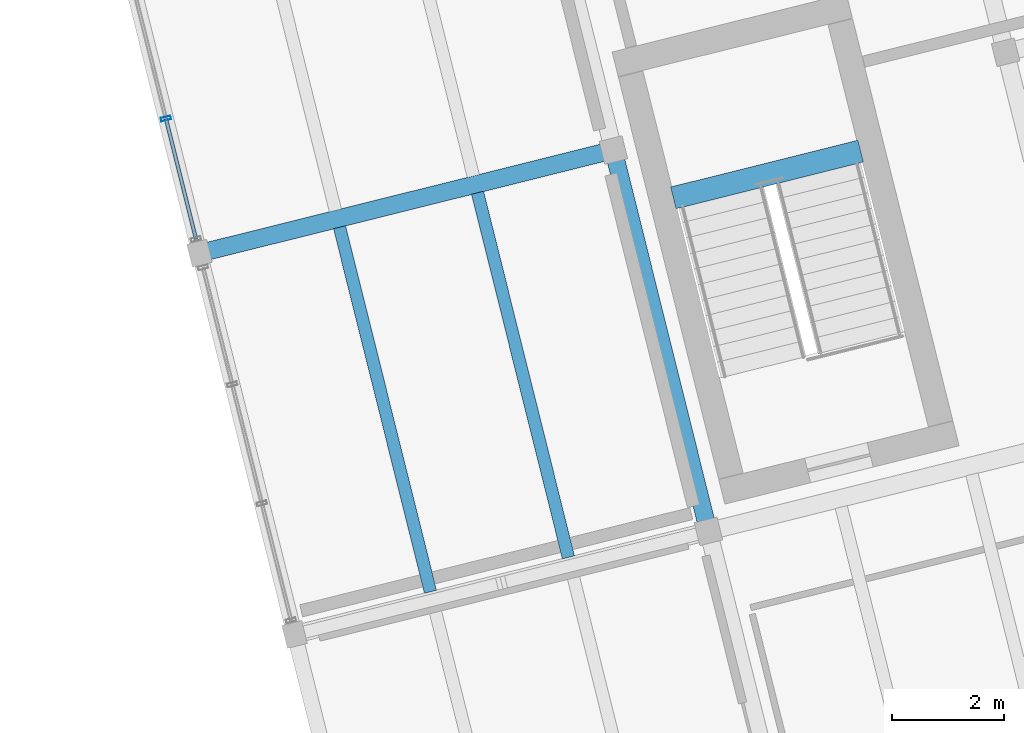
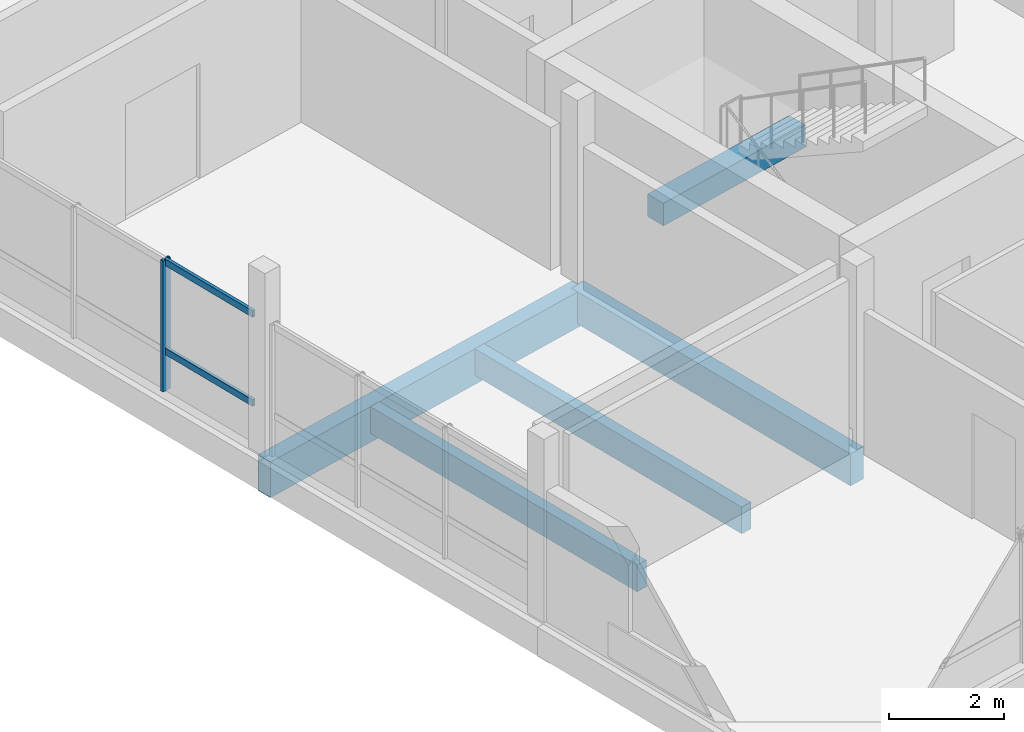
# One storey, part 3 of 28: 5 beams, 3 members, 1 element without a shape of its own.
"""IFC4 building model written with IfcOpenShell, lengths in metres."""

from ifc_helpers import new_model, si_unit, direction, frame, origin, origin_2d, place, context, subcontext, project, spatial, rectangle, hollow_rectangle, extrude, material, layer, layer_set, material_profile, profile_set, type_object, element, aggregate, save


model = new_model("IFC4")

# Units and contexts
model_context = context("Model", 3, precision=1e-05, world=origin(), true_north=direction((0.0, 1.0)))
body_context = subcontext(model_context, "Body", "Model", "MODEL_VIEW")
ifc_project = project(units=[si_unit("LENGTHUNIT", "METRE"), si_unit("AREAUNIT", "SQUARE_METRE"), si_unit("VOLUMEUNIT", "CUBIC_METRE"), si_unit("PLANEANGLEUNIT", "RADIAN"), si_unit("MASSUNIT", "GRAM", prefix="KILO")], contexts=[model_context])

# Site, building, storey
site_placement = place(None, origin())
site = spatial("IfcSite", under=ifc_project, at=site_placement, CompositionType="ELEMENT")
building_placement = place(site_placement, origin())
building = spatial("IfcBuilding", under=site, at=building_placement, Name="Meriwether Solvik Hall", CompositionType="ELEMENT")
storey_placement = place(building_placement, frame((0.0, 0.0, 30.0)))
storey = spatial("IfcBuildingStorey", under=building, at=storey_placement, Name="L07", CompositionType="ELEMENT", Elevation=30.0)

# Beams
ifc_material_1 = material(Name="Glulam Douglas-Fir 24F-V8 GL28h", Category="wood")
ifc_material_profile_1 = material_profile(ifc_material_1, rectangle(XDim=0.31494140625, YDim=0.68505859375, at=origin_2d()), Name="GLB-315X685")
ifc_profile_set_1 = profile_set([ifc_material_profile_1], Name="Glulam Douglas-Fir 24F-V8 GL28h")
beam_type_1 = type_object("IfcBeamType", Name="BM-GL-315X685", PredefinedType="BEAM", material=ifc_profile_set_1)
beam_1_placement = place(storey_placement, frame((74.3291015625, 49.63671875, -0.5625), z_axis=(-0.241911879182, 0.970298223594, 0.0), x_axis=(-0.970298223594, -0.241911879182, 0.0)))
element("IfcBeam", 1, at=beam_1_placement, inside=storey, type_object=beam_type_1, Name="Tower Girder T2:TB-TC (L07)", PredefinedType="BEAM", context=body_context, shape_type="SweptSolid", body=[
    extrude(rectangle(XDim=0.31494140625, YDim=0.68505859375, at=origin_2d()), origin(), (0.0, 0.0, 1.0), 7.0),
])
ifc_material_2 = material(Name="Glulam Douglas-Fir 24F-V8 GL28h", Category="wood")
ifc_material_profile_2 = material_profile(ifc_material_2, rectangle(XDim=0.31494140625, YDim=0.760009765625, at=origin_2d()), Name="GLB-315X760")
ifc_profile_set_2 = profile_set([ifc_material_profile_2], Name="Glulam Douglas-Fir 24F-V8 GL28h")
beam_type_2 = type_object("IfcBeamType", Name="BM-GL-315X760", PredefinedType="BEAM", material=ifc_profile_set_2)
beam_2_placement = place(storey_placement, frame((65.261474609375, 54.590087890625, -0.60009765625), z_axis=(0.970295366785, 0.241923337436, 0.0), x_axis=(-0.241923337436, 0.970295366785, 0.0)))
element("IfcBeam", 2, at=beam_2_placement, inside=storey, type_object=beam_type_2, Name="Tower Girder TC:T1-T2 (L07)", PredefinedType="BEAM", context=body_context, shape_type="SweptSolid", body=[
    extrude(rectangle(XDim=0.31494140625, YDim=0.760009765625, at=origin_2d()), origin(), (0.0, 0.0, 1.0), 7.60009765625),
])
ifc_material_3 = material(Name="Concrete C40/50", Category="concrete")
ifc_material_profile_3 = material_profile(ifc_material_3, rectangle(XDim=0.39990234375, YDim=0.47998046875, at=origin_2d()), Name="RCB-400X480")
ifc_profile_set_3 = profile_set([ifc_material_profile_3], Name="Concrete C40/50")
beam_type_3 = type_object("IfcBeamType", Name="BM-LND-RC-400X480", PredefinedType="BEAM", material=ifc_profile_set_3)
beam_3_placement = place(storey_placement, frame((73.70361328125, 55.57666015625, 1.510009765625), z_axis=(0.970288447449, 0.24195108751, 0.0), x_axis=(-0.24195108751, 0.970288447449, 0.0)))
element("IfcBeam", 3, at=beam_3_placement, inside=storey, type_object=beam_type_3, Name="Stair ST-01 Half-Landing Header Beam (L07)", PredefinedType="BEAM", context=body_context, shape_type="SweptSolid", body=[
    extrude(rectangle(XDim=0.39990234375, YDim=0.47998046875, at=origin_2d()), origin(), (0.0, 0.0, 1.0), 3.43994140625),
])

# Curtain wall, members
ifc_material_4 = material(Name="Thermally Broken Anodised Aluminium 6063-T6 and Low-E Glass", Category="aluminium")
ifc_layer = layer(ifc_material_4, 0.179931640625)
ifc_layer_set = layer_set([ifc_layer], Name="Thermally Broken Anodised Aluminium 6063-T6 and Low-E Glass")
curtain_wall_type = type_object("IfcCurtainWallType", Name="CW-UNIT-E", PredefinedType="USERDEFINED", material=ifc_layer_set)
curtain_wall_placement = place(storey_placement, origin())
curtain_wall = element("IfcCurtainWall", 4, at=curtain_wall_placement, inside=storey, type_object=curtain_wall_type, Name="Curtain Wall E5_B2 (L07)", ObjectType="UNITISED CURTAIN WALL", PredefinedType="USERDEFINED")
ifc_material_5 = material(Name="Anodised Aluminium 6063-T6", Category="aluminium")
ifc_material_profile_4 = material_profile(ifc_material_5, hollow_rectangle(XDim=0.06494140625, YDim=0.179931640625, WallThickness=0.00439453125, at=origin_2d()), Name="CWM-65X180")
ifc_profile_set_4 = profile_set([ifc_material_profile_4], Name="Anodised Aluminium 6063-T6")
member_type_1 = type_object("IfcMemberType", Name="CW-MUL-65X180", PredefinedType="MULLION", material=ifc_profile_set_4)
member_1_placement = place(storey_placement, frame((64.662841796875, 56.990478515625, 0.0), z_axis=(0.0, 0.0, 1.0), x_axis=(-0.241921847539, 0.970295738259, 0.0)))
member_1 = element("IfcMember", 5, at=member_1_placement, type_object=member_type_1, Name="Curtain Wall Mullion 2", PredefinedType="MULLION", context=body_context, shape_type="SweptSolid", body=[
    extrude(hollow_rectangle(XDim=0.06494140625, YDim=0.179931640625, WallThickness=0.00439453125, at=origin_2d()), origin(), (0.0, 0.0, 1.0), 2.7900390625),
])
ifc_material_6 = material(Name="Anodised Aluminium 6063-T6", Category="aluminium")
ifc_material_profile_5 = material_profile(ifc_material_6, hollow_rectangle(XDim=0.06494140625, YDim=0.139892578125, WallThickness=0.00439453125, at=origin_2d()), Name="CWT-65X140")
ifc_profile_set_5 = profile_set([ifc_material_profile_5], Name="Anodised Aluminium 6063-T6")
member_type_2 = type_object("IfcMemberType", Name="CW-TRN-65X140", PredefinedType="USERDEFINED", material=ifc_profile_set_5)
member_2_placement = place(storey_placement, frame((65.198486328125, 54.84228515625, 0.8369140625), z_axis=(-0.241938808, 0.970291509385, 0.0), x_axis=(-0.970291509385, -0.241938808, 0.0)))
member_2 = element("IfcMember", 6, at=member_2_placement, type_object=member_type_2, Name="Curtain Wall Transom 1-sill", ObjectType="TRANSOM", PredefinedType="USERDEFINED", context=body_context, shape_type="SweptSolid", body=[
    extrude(hollow_rectangle(XDim=0.06494140625, YDim=0.139892578125, WallThickness=0.00439453125, at=origin_2d()), origin(), (0.0, 0.0, 1.0), 2.2138671875),
])
member_3_placement = place(storey_placement, frame((65.198486328125, 54.84228515625, 2.72998046875), z_axis=(-0.241938808, 0.970291509385, 0.0), x_axis=(-0.970291509385, -0.241938808, 0.0)))
member_3 = element("IfcMember", 7, at=member_3_placement, type_object=member_type_2, Name="Curtain Wall Transom 1-head", ObjectType="TRANSOM", PredefinedType="USERDEFINED", context=body_context, shape_type="SweptSolid", body=[
    extrude(hollow_rectangle(XDim=0.06494140625, YDim=0.139892578125, WallThickness=0.00439453125, at=origin_2d()), origin(), (0.0, 0.0, 1.0), 2.2138671875),
])
aggregate(curtain_wall, [member_1, member_2, member_3])

# Beams
ifc_material_7 = material(Name="Glulam Douglas-Fir 24F-V8 GL28h", Category="wood")
ifc_material_profile_6 = material_profile(ifc_material_7, rectangle(XDim=0.221923828125, YDim=0.570068359375, at=origin_2d()), Name="GLJ-222X570")
ifc_profile_set_6 = profile_set([ifc_material_profile_6], Name="Glulam Douglas-Fir 24F-V8 GL28h")
beam_type_4 = type_object("IfcBeamType", Name="JST-GL-222X570", PredefinedType="JOIST", material=ifc_profile_set_6)
beam_4_placement = place(storey_placement, frame((69.3759765625, 48.558837890625, -0.5048828125), z_axis=(-0.241917792922, 0.970296749179, 0.0), x_axis=(-0.970296749179, -0.241917792922, 0.0)))
element("IfcBeam", 8, at=beam_4_placement, inside=storey, type_object=beam_type_4, Name="Glulam Floor Joist T1/TB-J1 (L07)", PredefinedType="JOIST", context=body_context, shape_type="SweptSolid", body=[
    extrude(rectangle(XDim=0.221923828125, YDim=0.570068359375, at=origin_2d()), origin(), (0.0, 0.0, 1.0), 6.695068359375),
])
beam_5_placement = place(storey_placement, frame((71.834228515625, 49.171630859375, -0.5048828125), z_axis=(-0.241909233393, 0.970298883231, 0.0), x_axis=(-0.970298883231, -0.241909233393, 0.0)))
element("IfcBeam", 9, at=beam_5_placement, inside=storey, type_object=beam_type_4, Name="Glulam Floor Joist T1/TB-J2 (L07)", PredefinedType="JOIST", context=body_context, shape_type="SweptSolid", body=[
    extrude(rectangle(XDim=0.221923828125, YDim=0.570068359375, at=origin_2d()), origin(), (0.0, 0.0, 1.0), 6.6953125),
])

save(model, "model.ifc")
